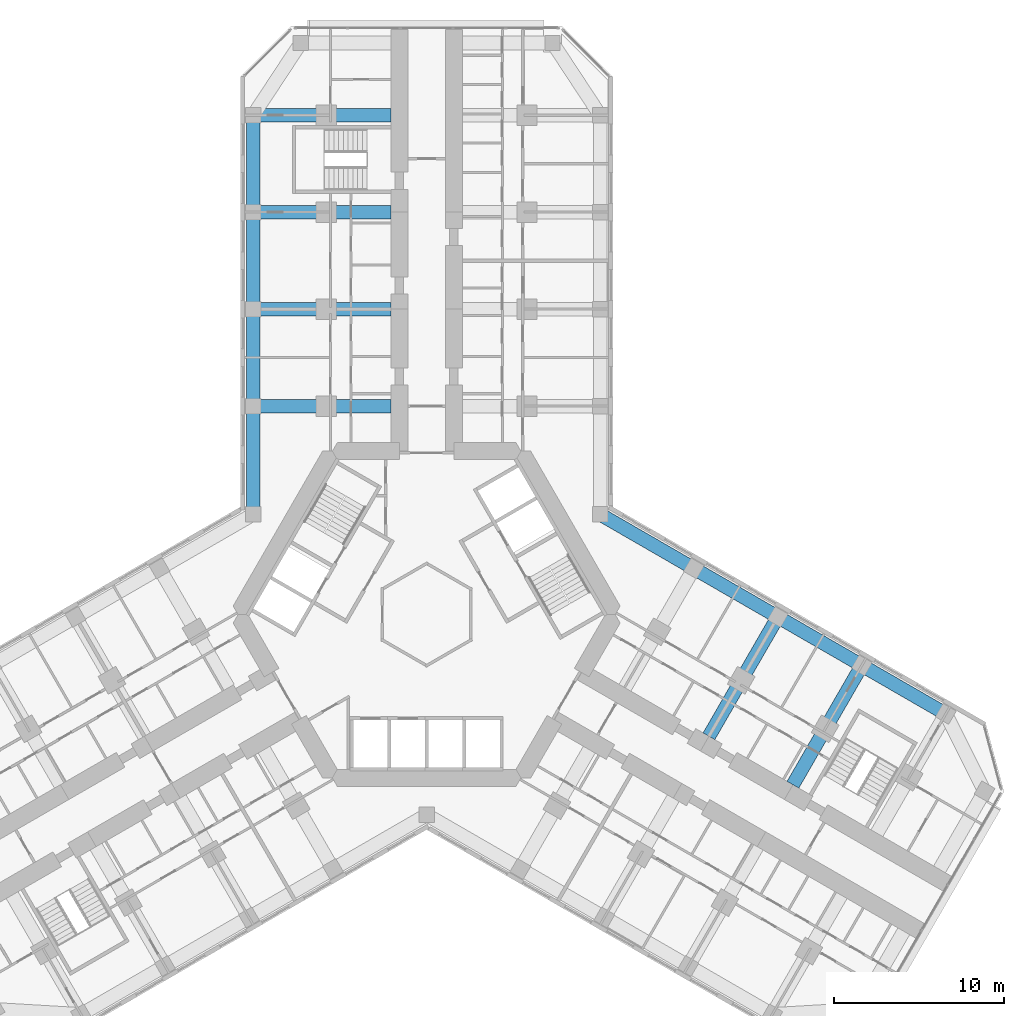
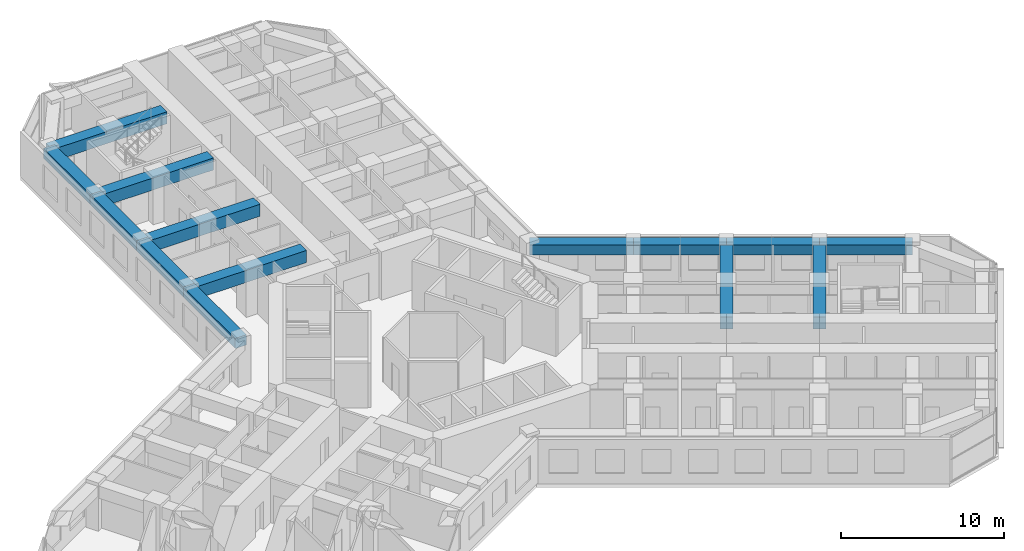
# One storey, part 6 of 21: 14 beams.
"""IFC4 building model written with IfcOpenShell, lengths in metres."""

from ifc_helpers import new_model, si_unit, direction, frame, origin, origin_2d, place, context, subcontext, project, spatial, rectangle, extrude, material, material_profile, profile_set, type_object, element, save


model = new_model("IFC4")

# Units and contexts
model_context = context("Model", 3, precision=1e-05, world=origin(), true_north=direction((0.0, 1.0)))
body_context = subcontext(model_context, "Body", "Model", "MODEL_VIEW")
ifc_project = project(units=[si_unit("LENGTHUNIT", "METRE"), si_unit("AREAUNIT", "SQUARE_METRE"), si_unit("VOLUMEUNIT", "CUBIC_METRE"), si_unit("PLANEANGLEUNIT", "RADIAN"), si_unit("MASSUNIT", "GRAM", prefix="KILO")], contexts=[model_context])

# Site, building, storey
site_placement = place(None, origin())
site = spatial("IfcSite", under=ifc_project, at=site_placement, CompositionType="ELEMENT")
building_placement = place(site_placement, origin())
building = spatial("IfcBuilding", under=site, at=building_placement, Name="Kosmar Iwan School Tower", CompositionType="ELEMENT")
storey_placement = place(building_placement, frame((0.0, 0.0, 84.39990234375)))
storey = spatial("IfcBuildingStorey", under=building, at=storey_placement, Name="L20", CompositionType="ELEMENT", Elevation=84.39990234375)

# Beams
ifc_material_1 = material(Name="Concrete C50/60", Category="concrete")
ifc_material_profile_1 = material_profile(ifc_material_1, rectangle(XDim=0.800048828125, YDim=0.75, at=origin_2d()), Name="RC 800x750")
ifc_profile_set_1 = profile_set([ifc_material_profile_1], Name="Concrete C50/60")
beam_type_1 = type_object("IfcBeamType", Name="RC edge beam 800x750", PredefinedType="BEAM", material=ifc_profile_set_1)
beam_1_placement = place(storey_placement, frame((-10.199951171875, 5.888916015625, 2.97509765625), z_axis=(0.0, 1.0, 0.0), x_axis=(-1.0, 0.0, 0.0)))
element("IfcBeam", 1, at=beam_1_placement, inside=storey, type_object=beam_type_1, Name="Edge beam AL1", PredefinedType="BEAM", context=body_context, shape_type="SweptSolid", body=[
    extrude(rectangle(XDim=0.800048828125, YDim=0.75, at=origin_2d()), origin(), (0.0, 0.0, 1.0), 6.361083984375),
])
for number, where, z_axis, x_axis, name in (
    (2, (-10.199951171875, 12.25, 2.97509765625), (0.0, 1.0, 0.0), (-1.0, 0.0, 0.0), "Edge beam AL2"),
    (3, (-10.199951171875, 17.949951171875, 2.97509765625), (0.0, 1.0, 0.0), (-1.0, 0.0, 0.0), "Edge beam AL3"),
):
    element("IfcBeam", number, at=place(storey_placement, frame(where, z_axis=z_axis, x_axis=x_axis)), inside=storey, type_object=beam_type_1, Name=name, PredefinedType="BEAM", context=body_context, shape_type="SweptSolid", body=[
        extrude(rectangle(XDim=0.800048828125, YDim=0.75, at=origin_2d()), origin(), (0.0, 0.0, 1.0), 5.699951171875),
    ])
beam_2_placement = place(storey_placement, frame((-10.199951171875, 23.64990234375, 2.97509765625), z_axis=(0.0, 1.0, 0.0), x_axis=(-1.0, 0.0, 0.0)))
element("IfcBeam", 4, at=beam_2_placement, inside=storey, type_object=beam_type_1, Name="Edge beam AL4", PredefinedType="BEAM", context=body_context, shape_type="SweptSolid", body=[
    extrude(rectangle(XDim=0.800048828125, YDim=0.75, at=origin_2d()), origin(), (0.0, 0.0, 1.0), 5.7001953125),
])
beam_3_placement = place(storey_placement, frame((10.199951171875, 5.888916015625, 2.97509765625), z_axis=(0.866030912664, -0.49999045822, 0.0), x_axis=(0.49999045822, 0.866030912664, 0.0)))
element("IfcBeam", 5, at=beam_3_placement, inside=storey, type_object=beam_type_1, Name="Edge beam CL1", PredefinedType="BEAM", context=body_context, shape_type="SweptSolid", body=[
    extrude(rectangle(XDim=0.800048828125, YDim=0.75, at=origin_2d()), origin(), (0.0, 0.0, 1.0), 6.36083984375),
])
beam_4_placement = place(storey_placement, frame((15.708740234375, 2.70849609375, 2.97509765625), z_axis=(0.866025820012, -0.499999279071, 0.0), x_axis=(0.499999279071, 0.866025820012, 0.0)))
element("IfcBeam", 6, at=beam_4_placement, inside=storey, type_object=beam_type_1, Name="Edge beam CL2", PredefinedType="BEAM", context=body_context, shape_type="SweptSolid", body=[
    extrude(rectangle(XDim=0.800048828125, YDim=0.75, at=origin_2d()), origin(), (0.0, 0.0, 1.0), 5.7001953125),
])
for number, where, z_axis, x_axis, name in (
    (7, (20.645263671875, -0.1416015625, 2.97509765625), (0.866033658841, -0.49998570155, 0.0), (0.49998570155, 0.866033658841, 0.0), "Edge beam CL3"),
    (8, (25.58154296875, -2.991455078125, 2.97509765625), (0.866015111908, -0.50001782563, 0.0), (0.50001782563, 0.866015111908, 0.0), "Edge beam CL4"),
):
    element("IfcBeam", number, at=place(storey_placement, frame(where, z_axis=z_axis, x_axis=x_axis)), inside=storey, type_object=beam_type_1, Name=name, PredefinedType="BEAM", context=body_context, shape_type="SweptSolid", body=[
        extrude(rectangle(XDim=0.800048828125, YDim=0.75, at=origin_2d()), origin(), (0.0, 0.0, 1.0), 5.699951171875),
    ])
ifc_material_2 = material(Name="Concrete C50/60", Category="concrete")
ifc_material_profile_2 = material_profile(ifc_material_2, rectangle(XDim=0.800048828125, YDim=0.89990234375, at=origin_2d()), Name="RC 800x900")
ifc_profile_set_2 = profile_set([ifc_material_profile_2], Name="Concrete C50/60")
beam_type_2 = type_object("IfcBeamType", Name="RC transverse beam 800x900", PredefinedType="BEAM", material=ifc_profile_set_2)
for number, where, z_axis, x_axis, name in (
    (9, (-10.199951171875, 12.25, 2.900146484375), (1.0, 0.0, 0.0), (0.0, 1.0, 0.0), "Transverse beam AL1"),
    (10, (-10.199951171875, 17.949951171875, 2.900146484375), (1.0, 0.0, 0.0), (0.0, 1.0, 0.0), "Transverse beam AL2"),
    (11, (-10.199951171875, 23.64990234375, 2.900146484375), (1.0, 0.0, 0.0), (0.0, 1.0, 0.0), "Transverse beam AL3"),
    (12, (-10.199951171875, 29.35009765625, 2.900146484375), (1.0, 0.0, 0.0), (0.0, 1.0, 0.0), "Transverse beam AL4"),
    (13, (20.645263671875, -0.1416015625, 2.900146484375), (-0.500012932018, -0.866017937352, 0.0), (0.866017937352, -0.500012932018, 0.0), "Transverse beam CL2"),
):
    element("IfcBeam", number, at=place(storey_placement, frame(where, z_axis=z_axis, x_axis=x_axis)), inside=storey, type_object=beam_type_2, Name=name, PredefinedType="BEAM", context=body_context, shape_type="SweptSolid", body=[
        extrude(rectangle(XDim=0.800048828125, YDim=0.89990234375, at=origin_2d()), origin(), (0.0, 0.0, 1.0), 8.099853515625),
    ])
beam_5_placement = place(storey_placement, frame((25.58154296875, -2.991455078125, 2.900146484375), z_axis=(-0.499999880539, -0.866025472755, 0.0), x_axis=(0.866025472755, -0.499999880539, 0.0)))
element("IfcBeam", 14, at=beam_5_placement, inside=storey, type_object=beam_type_2, Name="Transverse beam CL3", PredefinedType="BEAM", context=body_context, shape_type="SweptSolid", body=[
    extrude(rectangle(XDim=0.800048828125, YDim=0.89990234375, at=origin_2d()), origin(), (0.0, 0.0, 1.0), 8.10009765625),
])

save(model, "model.ifc")
